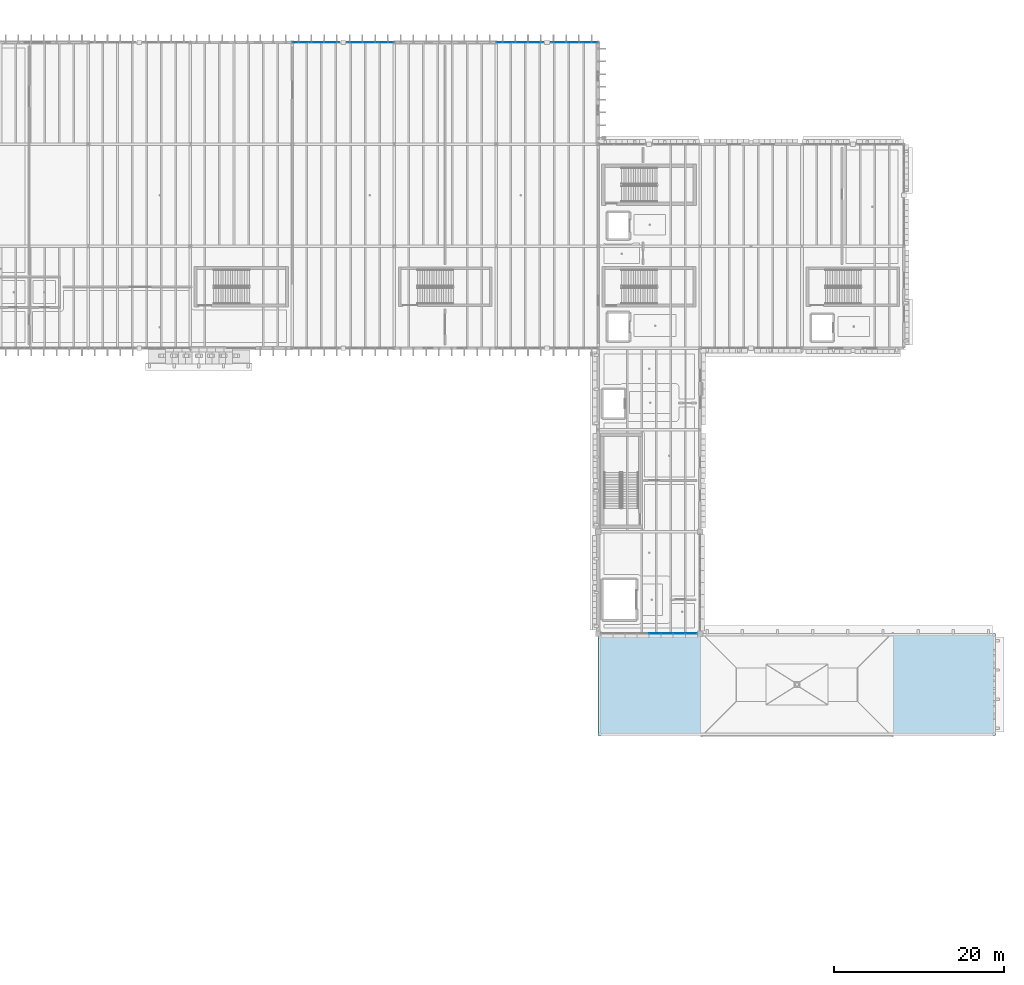
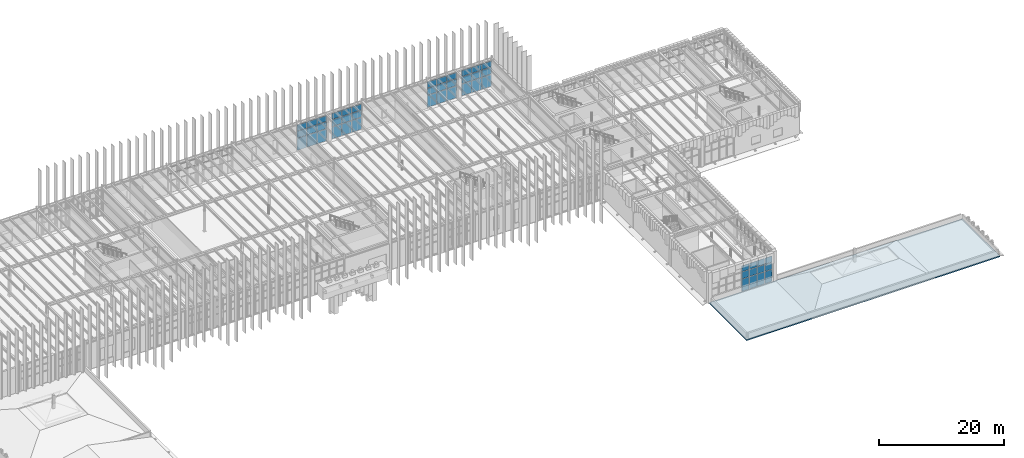
# One storey, part 41 of 83: 48 plates, 1 slab, 5 elements without a shape of their own.
"""IFC4 building model written with IfcOpenShell, lengths in metres."""

from ifc_helpers import new_model, si_unit, direction, frame, origin, origin_2d, place, context, subcontext, project, spatial, polyline, rectangle, outline, extrude, material, layer, layer_set, type_object, element, aggregate, save


model = new_model("IFC4")

# Units and contexts
model_context = context("Model", 3, precision=1e-05, world=origin(), true_north=direction((0.0, 1.0)))
body_context = subcontext(model_context, "Body", "Model", "MODEL_VIEW")
ifc_project = project(units=[si_unit("LENGTHUNIT", "METRE"), si_unit("AREAUNIT", "SQUARE_METRE"), si_unit("VOLUMEUNIT", "CUBIC_METRE"), si_unit("PLANEANGLEUNIT", "RADIAN"), si_unit("MASSUNIT", "GRAM", prefix="KILO")], contexts=[model_context])

# Site, building, storey
site_placement = place(None, origin())
site = spatial("IfcSite", under=ifc_project, at=site_placement, CompositionType="ELEMENT")
building_placement = place(site_placement, origin())
building = spatial("IfcBuilding", under=site, at=building_placement, Name="Zlatogorsky Bluff Art Gallery", CompositionType="ELEMENT")
storey_placement = place(building_placement, frame((0.0, 0.0, 10.800048828125)))
storey = spatial("IfcBuildingStorey", under=building, at=storey_placement, Name="L02", CompositionType="ELEMENT", Elevation=10.800048828125)

# Curtain wall, plates
ifc_material_1 = material(Name="Anodised Bronze Aluminium and Low-Iron Triple Glazing", Category="aluminium")
ifc_layer_1 = layer(ifc_material_1, 0.219970703125)
ifc_layer_set_1 = layer_set([ifc_layer_1], Name="Curtain Wall CW-04")
curtain_wall_type_1 = type_object("IfcCurtainWallType", Name="Curtain Wall CW-04", PredefinedType="USERDEFINED", material=ifc_layer_set_1)
curtain_wall_1_placement = place(storey_placement, origin())
curtain_wall_1 = element("IfcCurtainWall", 1, at=curtain_wall_1_placement, inside=storey, type_object=curtain_wall_type_1, Name="Unitised curtain wall CW-04 L02 N 7.10-A", ObjectType="CURTAIN WALL", PredefinedType="USERDEFINED")
ifc_material_2 = material(Name="Low-Iron Laminated Triple Glazing", Category="glass")
ifc_layer_2 = layer(ifc_material_2, 0.035888671875)
ifc_layer_set_2 = layer_set([ifc_layer_2], Name="Glazed Curtain Panel CWP-01")
plate_type = type_object("IfcPlateType", Name="Glazed Curtain Panel CWP-01", PredefinedType="CURTAIN_PANEL", material=ifc_layer_set_2)
plate_1_placement = place(storey_placement, frame((95.0537109375, 120.0, 0.06494140625), z_axis=(0.0, 0.0, 1.0), x_axis=(-1.0, 0.0, 0.0)))
plate_1 = element("IfcPlate", 2, at=plate_1_placement, type_object=plate_type, Name="CW-04 panel 1.1", PredefinedType="CURTAIN_PANEL", context=body_context, shape_type="SweptSolid", body=[
    extrude(rectangle(XDim=1.762451171875, YDim=0.035888671875, at=origin_2d()), origin(), (0.0, 0.0, 1.0), 2.3525390625),
])
plate_2_placement = place(storey_placement, frame((95.0537109375, 120.0, 2.482421875), z_axis=(0.0, 0.0, 1.0), x_axis=(-1.0, 0.0, 0.0)))
plate_2 = element("IfcPlate", 3, at=plate_2_placement, type_object=plate_type, Name="CW-04 panel 1.2", PredefinedType="CURTAIN_PANEL", context=body_context, shape_type="SweptSolid", body=[
    extrude(rectangle(XDim=1.762451171875, YDim=0.035888671875, at=origin_2d()), origin(), (0.0, 0.0, 1.0), 1.3349609375),
])
plate_3_placement = place(storey_placement, frame((95.0537109375, 120.0, 3.88232421875), z_axis=(0.0, 0.0, 1.0), x_axis=(-1.0, 0.0, 0.0)))
plate_3 = element("IfcPlate", 4, at=plate_3_placement, type_object=plate_type, Name="CW-04 panel 1.3", PredefinedType="CURTAIN_PANEL", context=body_context, shape_type="SweptSolid", body=[
    extrude(rectangle(XDim=1.762451171875, YDim=0.035888671875, at=origin_2d()), origin(), (0.0, 0.0, 1.0), 1.16259765625),
])
plate_4_placement = place(storey_placement, frame((93.2099609375, 120.0, 0.06494140625), z_axis=(0.0, 0.0, 1.0), x_axis=(-1.0, 0.0, 0.0)))
plate_4 = element("IfcPlate", 5, at=plate_4_placement, type_object=plate_type, Name="CW-04 panel 2.1", PredefinedType="CURTAIN_PANEL", context=body_context, shape_type="SweptSolid", body=[
    extrude(rectangle(XDim=1.794921875, YDim=0.035888671875, at=origin_2d()), origin(), (0.0, 0.0, 1.0), 2.3525390625),
])
plate_5_placement = place(storey_placement, frame((93.2099609375, 120.0, 2.482421875), z_axis=(0.0, 0.0, 1.0), x_axis=(-1.0, 0.0, 0.0)))
plate_5 = element("IfcPlate", 6, at=plate_5_placement, type_object=plate_type, Name="CW-04 panel 2.2", PredefinedType="CURTAIN_PANEL", context=body_context, shape_type="SweptSolid", body=[
    extrude(rectangle(XDim=1.794921875, YDim=0.035888671875, at=origin_2d()), origin(), (0.0, 0.0, 1.0), 1.3349609375),
])
plate_6_placement = place(storey_placement, frame((93.2099609375, 120.0, 3.88232421875), z_axis=(0.0, 0.0, 1.0), x_axis=(-1.0, 0.0, 0.0)))
plate_6 = element("IfcPlate", 7, at=plate_6_placement, type_object=plate_type, Name="CW-04 panel 2.3", PredefinedType="CURTAIN_PANEL", context=body_context, shape_type="SweptSolid", body=[
    extrude(rectangle(XDim=1.794921875, YDim=0.035888671875, at=origin_2d()), origin(), (0.0, 0.0, 1.0), 1.16259765625),
])
plate_7_placement = place(storey_placement, frame((91.3662109375, 120.0, 0.06494140625), z_axis=(0.0, 0.0, 1.0), x_axis=(-1.0, 0.0, 0.0)))
plate_7 = element("IfcPlate", 8, at=plate_7_placement, type_object=plate_type, Name="CW-04 panel 3.1", PredefinedType="CURTAIN_PANEL", context=body_context, shape_type="SweptSolid", body=[
    extrude(rectangle(XDim=1.762451171875, YDim=0.035888671875, at=origin_2d()), origin(), (0.0, 0.0, 1.0), 2.3525390625),
])
plate_8_placement = place(storey_placement, frame((91.3662109375, 120.0, 2.482421875), z_axis=(0.0, 0.0, 1.0), x_axis=(-1.0, 0.0, 0.0)))
plate_8 = element("IfcPlate", 9, at=plate_8_placement, type_object=plate_type, Name="CW-04 panel 3.2", PredefinedType="CURTAIN_PANEL", context=body_context, shape_type="SweptSolid", body=[
    extrude(rectangle(XDim=1.762451171875, YDim=0.035888671875, at=origin_2d()), origin(), (0.0, 0.0, 1.0), 1.3349609375),
])
plate_9_placement = place(storey_placement, frame((91.3662109375, 120.0, 3.88232421875), z_axis=(0.0, 0.0, 1.0), x_axis=(-1.0, 0.0, 0.0)))
plate_9 = element("IfcPlate", 10, at=plate_9_placement, type_object=plate_type, Name="CW-04 panel 3.3", PredefinedType="CURTAIN_PANEL", context=body_context, shape_type="SweptSolid", body=[
    extrude(rectangle(XDim=1.762451171875, YDim=0.035888671875, at=origin_2d()), origin(), (0.0, 0.0, 1.0), 1.16259765625),
])
aggregate(curtain_wall_1, [plate_1, plate_2, plate_3, plate_4, plate_5, plate_6, plate_7, plate_8, plate_9])

curtain_wall_2_placement = place(storey_placement, origin())
curtain_wall_2 = element("IfcCurtainWall", 11, at=curtain_wall_2_placement, inside=storey, type_object=curtain_wall_type_1, Name="Unitised curtain wall CW-04 L02 N 7.10-B", ObjectType="CURTAIN WALL", PredefinedType="USERDEFINED")
plate_10_placement = place(storey_placement, frame((88.6337890625, 120.0, 0.06494140625), z_axis=(0.0, 0.0, 1.0), x_axis=(-1.0, 0.0, 0.0)))
plate_10 = element("IfcPlate", 12, at=plate_10_placement, type_object=plate_type, Name="CW-04 panel 1.1", PredefinedType="CURTAIN_PANEL", context=body_context, shape_type="SweptSolid", body=[
    extrude(rectangle(XDim=1.762451171875, YDim=0.035888671875, at=origin_2d()), origin(), (0.0, 0.0, 1.0), 2.3525390625),
])
plate_11_placement = place(storey_placement, frame((88.6337890625, 120.0, 2.482421875), z_axis=(0.0, 0.0, 1.0), x_axis=(-1.0, 0.0, 0.0)))
plate_11 = element("IfcPlate", 13, at=plate_11_placement, type_object=plate_type, Name="CW-04 panel 1.2", PredefinedType="CURTAIN_PANEL", context=body_context, shape_type="SweptSolid", body=[
    extrude(rectangle(XDim=1.762451171875, YDim=0.035888671875, at=origin_2d()), origin(), (0.0, 0.0, 1.0), 1.3349609375),
])
plate_12_placement = place(storey_placement, frame((88.6337890625, 120.0, 3.88232421875), z_axis=(0.0, 0.0, 1.0), x_axis=(-1.0, 0.0, 0.0)))
plate_12 = element("IfcPlate", 14, at=plate_12_placement, type_object=plate_type, Name="CW-04 panel 1.3", PredefinedType="CURTAIN_PANEL", context=body_context, shape_type="SweptSolid", body=[
    extrude(rectangle(XDim=1.762451171875, YDim=0.035888671875, at=origin_2d()), origin(), (0.0, 0.0, 1.0), 1.16259765625),
])
plate_13_placement = place(storey_placement, frame((86.7900390625, 120.0, 0.06494140625), z_axis=(0.0, 0.0, 1.0), x_axis=(-1.0, 0.0, 0.0)))
plate_13 = element("IfcPlate", 15, at=plate_13_placement, type_object=plate_type, Name="CW-04 panel 2.1", PredefinedType="CURTAIN_PANEL", context=body_context, shape_type="SweptSolid", body=[
    extrude(rectangle(XDim=1.794921875, YDim=0.035888671875, at=origin_2d()), origin(), (0.0, 0.0, 1.0), 2.3525390625),
])
plate_14_placement = place(storey_placement, frame((86.7900390625, 120.0, 2.482421875), z_axis=(0.0, 0.0, 1.0), x_axis=(-1.0, 0.0, 0.0)))
plate_14 = element("IfcPlate", 16, at=plate_14_placement, type_object=plate_type, Name="CW-04 panel 2.2", PredefinedType="CURTAIN_PANEL", context=body_context, shape_type="SweptSolid", body=[
    extrude(rectangle(XDim=1.794921875, YDim=0.035888671875, at=origin_2d()), origin(), (0.0, 0.0, 1.0), 1.3349609375),
])
plate_15_placement = place(storey_placement, frame((86.7900390625, 120.0, 3.88232421875), z_axis=(0.0, 0.0, 1.0), x_axis=(-1.0, 0.0, 0.0)))
plate_15 = element("IfcPlate", 17, at=plate_15_placement, type_object=plate_type, Name="CW-04 panel 2.3", PredefinedType="CURTAIN_PANEL", context=body_context, shape_type="SweptSolid", body=[
    extrude(rectangle(XDim=1.794921875, YDim=0.035888671875, at=origin_2d()), origin(), (0.0, 0.0, 1.0), 1.16259765625),
])
plate_16_placement = place(storey_placement, frame((84.9462890625, 120.0, 0.06494140625), z_axis=(0.0, 0.0, 1.0), x_axis=(-1.0, 0.0, 0.0)))
plate_16 = element("IfcPlate", 18, at=plate_16_placement, type_object=plate_type, Name="CW-04 panel 3.1", PredefinedType="CURTAIN_PANEL", context=body_context, shape_type="SweptSolid", body=[
    extrude(rectangle(XDim=1.762451171875, YDim=0.035888671875, at=origin_2d()), origin(), (0.0, 0.0, 1.0), 2.3525390625),
])
plate_17_placement = place(storey_placement, frame((84.9462890625, 120.0, 2.482421875), z_axis=(0.0, 0.0, 1.0), x_axis=(-1.0, 0.0, 0.0)))
plate_17 = element("IfcPlate", 19, at=plate_17_placement, type_object=plate_type, Name="CW-04 panel 3.2", PredefinedType="CURTAIN_PANEL", context=body_context, shape_type="SweptSolid", body=[
    extrude(rectangle(XDim=1.762451171875, YDim=0.035888671875, at=origin_2d()), origin(), (0.0, 0.0, 1.0), 1.3349609375),
])
plate_18_placement = place(storey_placement, frame((84.9462890625, 120.0, 3.88232421875), z_axis=(0.0, 0.0, 1.0), x_axis=(-1.0, 0.0, 0.0)))
plate_18 = element("IfcPlate", 20, at=plate_18_placement, type_object=plate_type, Name="CW-04 panel 3.3", PredefinedType="CURTAIN_PANEL", context=body_context, shape_type="SweptSolid", body=[
    extrude(rectangle(XDim=1.762451171875, YDim=0.035888671875, at=origin_2d()), origin(), (0.0, 0.0, 1.0), 1.16259765625),
])
aggregate(curtain_wall_2, [plate_10, plate_11, plate_12, plate_13, plate_14, plate_15, plate_16, plate_17, plate_18])

curtain_wall_3_placement = place(storey_placement, origin())
curtain_wall_3 = element("IfcCurtainWall", 21, at=curtain_wall_3_placement, inside=storey, type_object=curtain_wall_type_1, Name="Unitised curtain wall CW-04 L02 N 9.10-A", ObjectType="CURTAIN WALL", PredefinedType="USERDEFINED")
plate_19_placement = place(storey_placement, frame((119.0537109375, 120.0, 0.06494140625), z_axis=(0.0, 0.0, 1.0), x_axis=(-1.0, 0.0, 0.0)))
plate_19 = element("IfcPlate", 22, at=plate_19_placement, type_object=plate_type, Name="CW-04 panel 1.1", PredefinedType="CURTAIN_PANEL", context=body_context, shape_type="SweptSolid", body=[
    extrude(rectangle(XDim=1.762451171875, YDim=0.035888671875, at=origin_2d()), origin(), (0.0, 0.0, 1.0), 2.3525390625),
])
plate_20_placement = place(storey_placement, frame((119.0537109375, 120.0, 2.482421875), z_axis=(0.0, 0.0, 1.0), x_axis=(-1.0, 0.0, 0.0)))
plate_20 = element("IfcPlate", 23, at=plate_20_placement, type_object=plate_type, Name="CW-04 panel 1.2", PredefinedType="CURTAIN_PANEL", context=body_context, shape_type="SweptSolid", body=[
    extrude(rectangle(XDim=1.762451171875, YDim=0.035888671875, at=origin_2d()), origin(), (0.0, 0.0, 1.0), 1.3349609375),
])
plate_21_placement = place(storey_placement, frame((119.0537109375, 120.0, 3.88232421875), z_axis=(0.0, 0.0, 1.0), x_axis=(-1.0, 0.0, 0.0)))
plate_21 = element("IfcPlate", 24, at=plate_21_placement, type_object=plate_type, Name="CW-04 panel 1.3", PredefinedType="CURTAIN_PANEL", context=body_context, shape_type="SweptSolid", body=[
    extrude(rectangle(XDim=1.762451171875, YDim=0.035888671875, at=origin_2d()), origin(), (0.0, 0.0, 1.0), 1.16259765625),
])
plate_22_placement = place(storey_placement, frame((117.2099609375, 120.0, 0.06494140625), z_axis=(0.0, 0.0, 1.0), x_axis=(-1.0, 0.0, 0.0)))
plate_22 = element("IfcPlate", 25, at=plate_22_placement, type_object=plate_type, Name="CW-04 panel 2.1", PredefinedType="CURTAIN_PANEL", context=body_context, shape_type="SweptSolid", body=[
    extrude(rectangle(XDim=1.794921875, YDim=0.035888671875, at=origin_2d()), origin(), (0.0, 0.0, 1.0), 2.3525390625),
])
plate_23_placement = place(storey_placement, frame((117.2099609375, 120.0, 2.482421875), z_axis=(0.0, 0.0, 1.0), x_axis=(-1.0, 0.0, 0.0)))
plate_23 = element("IfcPlate", 26, at=plate_23_placement, type_object=plate_type, Name="CW-04 panel 2.2", PredefinedType="CURTAIN_PANEL", context=body_context, shape_type="SweptSolid", body=[
    extrude(rectangle(XDim=1.794921875, YDim=0.035888671875, at=origin_2d()), origin(), (0.0, 0.0, 1.0), 1.3349609375),
])
plate_24_placement = place(storey_placement, frame((117.2099609375, 120.0, 3.88232421875), z_axis=(0.0, 0.0, 1.0), x_axis=(-1.0, 0.0, 0.0)))
plate_24 = element("IfcPlate", 27, at=plate_24_placement, type_object=plate_type, Name="CW-04 panel 2.3", PredefinedType="CURTAIN_PANEL", context=body_context, shape_type="SweptSolid", body=[
    extrude(rectangle(XDim=1.794921875, YDim=0.035888671875, at=origin_2d()), origin(), (0.0, 0.0, 1.0), 1.16259765625),
])
plate_25_placement = place(storey_placement, frame((115.3662109375, 120.0, 0.06494140625), z_axis=(0.0, 0.0, 1.0), x_axis=(-1.0, 0.0, 0.0)))
plate_25 = element("IfcPlate", 28, at=plate_25_placement, type_object=plate_type, Name="CW-04 panel 3.1", PredefinedType="CURTAIN_PANEL", context=body_context, shape_type="SweptSolid", body=[
    extrude(rectangle(XDim=1.762451171875, YDim=0.035888671875, at=origin_2d()), origin(), (0.0, 0.0, 1.0), 2.3525390625),
])
plate_26_placement = place(storey_placement, frame((115.3662109375, 120.0, 2.482421875), z_axis=(0.0, 0.0, 1.0), x_axis=(-1.0, 0.0, 0.0)))
plate_26 = element("IfcPlate", 29, at=plate_26_placement, type_object=plate_type, Name="CW-04 panel 3.2", PredefinedType="CURTAIN_PANEL", context=body_context, shape_type="SweptSolid", body=[
    extrude(rectangle(XDim=1.762451171875, YDim=0.035888671875, at=origin_2d()), origin(), (0.0, 0.0, 1.0), 1.3349609375),
])
plate_27_placement = place(storey_placement, frame((115.3662109375, 120.0, 3.88232421875), z_axis=(0.0, 0.0, 1.0), x_axis=(-1.0, 0.0, 0.0)))
plate_27 = element("IfcPlate", 30, at=plate_27_placement, type_object=plate_type, Name="CW-04 panel 3.3", PredefinedType="CURTAIN_PANEL", context=body_context, shape_type="SweptSolid", body=[
    extrude(rectangle(XDim=1.762451171875, YDim=0.035888671875, at=origin_2d()), origin(), (0.0, 0.0, 1.0), 1.16259765625),
])
aggregate(curtain_wall_3, [plate_19, plate_20, plate_21, plate_22, plate_23, plate_24, plate_25, plate_26, plate_27])

curtain_wall_4_placement = place(storey_placement, origin())
curtain_wall_4 = element("IfcCurtainWall", 31, at=curtain_wall_4_placement, inside=storey, type_object=curtain_wall_type_1, Name="Unitised curtain wall CW-04 L02 N 9.10-B", ObjectType="CURTAIN WALL", PredefinedType="USERDEFINED")
plate_28_placement = place(storey_placement, frame((112.6337890625, 120.0, 0.06494140625), z_axis=(0.0, 0.0, 1.0), x_axis=(-1.0, 0.0, 0.0)))
plate_28 = element("IfcPlate", 32, at=plate_28_placement, type_object=plate_type, Name="CW-04 panel 1.1", PredefinedType="CURTAIN_PANEL", context=body_context, shape_type="SweptSolid", body=[
    extrude(rectangle(XDim=1.762451171875, YDim=0.035888671875, at=origin_2d()), origin(), (0.0, 0.0, 1.0), 2.3525390625),
])
plate_29_placement = place(storey_placement, frame((112.6337890625, 120.0, 2.482421875), z_axis=(0.0, 0.0, 1.0), x_axis=(-1.0, 0.0, 0.0)))
plate_29 = element("IfcPlate", 33, at=plate_29_placement, type_object=plate_type, Name="CW-04 panel 1.2", PredefinedType="CURTAIN_PANEL", context=body_context, shape_type="SweptSolid", body=[
    extrude(rectangle(XDim=1.762451171875, YDim=0.035888671875, at=origin_2d()), origin(), (0.0, 0.0, 1.0), 1.3349609375),
])
plate_30_placement = place(storey_placement, frame((112.6337890625, 120.0, 3.88232421875), z_axis=(0.0, 0.0, 1.0), x_axis=(-1.0, 0.0, 0.0)))
plate_30 = element("IfcPlate", 34, at=plate_30_placement, type_object=plate_type, Name="CW-04 panel 1.3", PredefinedType="CURTAIN_PANEL", context=body_context, shape_type="SweptSolid", body=[
    extrude(rectangle(XDim=1.762451171875, YDim=0.035888671875, at=origin_2d()), origin(), (0.0, 0.0, 1.0), 1.16259765625),
])
plate_31_placement = place(storey_placement, frame((110.7900390625, 120.0, 0.06494140625), z_axis=(0.0, 0.0, 1.0), x_axis=(-1.0, 0.0, 0.0)))
plate_31 = element("IfcPlate", 35, at=plate_31_placement, type_object=plate_type, Name="CW-04 panel 2.1", PredefinedType="CURTAIN_PANEL", context=body_context, shape_type="SweptSolid", body=[
    extrude(rectangle(XDim=1.794921875, YDim=0.035888671875, at=origin_2d()), origin(), (0.0, 0.0, 1.0), 2.3525390625),
])
plate_32_placement = place(storey_placement, frame((110.7900390625, 120.0, 2.482421875), z_axis=(0.0, 0.0, 1.0), x_axis=(-1.0, 0.0, 0.0)))
plate_32 = element("IfcPlate", 36, at=plate_32_placement, type_object=plate_type, Name="CW-04 panel 2.2", PredefinedType="CURTAIN_PANEL", context=body_context, shape_type="SweptSolid", body=[
    extrude(rectangle(XDim=1.794921875, YDim=0.035888671875, at=origin_2d()), origin(), (0.0, 0.0, 1.0), 1.3349609375),
])
plate_33_placement = place(storey_placement, frame((110.7900390625, 120.0, 3.88232421875), z_axis=(0.0, 0.0, 1.0), x_axis=(-1.0, 0.0, 0.0)))
plate_33 = element("IfcPlate", 37, at=plate_33_placement, type_object=plate_type, Name="CW-04 panel 2.3", PredefinedType="CURTAIN_PANEL", context=body_context, shape_type="SweptSolid", body=[
    extrude(rectangle(XDim=1.794921875, YDim=0.035888671875, at=origin_2d()), origin(), (0.0, 0.0, 1.0), 1.16259765625),
])
plate_34_placement = place(storey_placement, frame((108.9462890625, 120.0, 0.06494140625), z_axis=(0.0, 0.0, 1.0), x_axis=(-1.0, 0.0, 0.0)))
plate_34 = element("IfcPlate", 38, at=plate_34_placement, type_object=plate_type, Name="CW-04 panel 3.1", PredefinedType="CURTAIN_PANEL", context=body_context, shape_type="SweptSolid", body=[
    extrude(rectangle(XDim=1.762451171875, YDim=0.035888671875, at=origin_2d()), origin(), (0.0, 0.0, 1.0), 2.3525390625),
])
plate_35_placement = place(storey_placement, frame((108.9462890625, 120.0, 2.482421875), z_axis=(0.0, 0.0, 1.0), x_axis=(-1.0, 0.0, 0.0)))
plate_35 = element("IfcPlate", 39, at=plate_35_placement, type_object=plate_type, Name="CW-04 panel 3.2", PredefinedType="CURTAIN_PANEL", context=body_context, shape_type="SweptSolid", body=[
    extrude(rectangle(XDim=1.762451171875, YDim=0.035888671875, at=origin_2d()), origin(), (0.0, 0.0, 1.0), 1.3349609375),
])
plate_36_placement = place(storey_placement, frame((108.9462890625, 120.0, 3.88232421875), z_axis=(0.0, 0.0, 1.0), x_axis=(-1.0, 0.0, 0.0)))
plate_36 = element("IfcPlate", 40, at=plate_36_placement, type_object=plate_type, Name="CW-04 panel 3.3", PredefinedType="CURTAIN_PANEL", context=body_context, shape_type="SweptSolid", body=[
    extrude(rectangle(XDim=1.762451171875, YDim=0.035888671875, at=origin_2d()), origin(), (0.0, 0.0, 1.0), 1.16259765625),
])
aggregate(curtain_wall_4, [plate_28, plate_29, plate_30, plate_31, plate_32, plate_33, plate_34, plate_35, plate_36])

ifc_layer_3 = layer(ifc_material_1, 0.199951171875)
ifc_layer_set_3 = layer_set([ifc_layer_3], Name="Curtain Wall CW-02")
curtain_wall_type_2 = type_object("IfcCurtainWallType", Name="Curtain Wall CW-02", PredefinedType="USERDEFINED", material=ifc_layer_set_3)
curtain_wall_5_placement = place(storey_placement, origin())
curtain_wall_5 = element("IfcCurtainWall", 41, at=curtain_wall_5_placement, inside=storey, type_object=curtain_wall_type_2, Name="Unitised curtain wall CW-02 L02 S 10.5", ObjectType="CURTAIN WALL", PredefinedType="USERDEFINED")
plate_37_placement = place(storey_placement, frame((126.7099609375, 50.39990234375, 0.06494140625), z_axis=(0.0, 0.0, 1.0), x_axis=(1.0, 0.0, 0.0)))
plate_37 = element("IfcPlate", 42, at=plate_37_placement, type_object=plate_type, Name="CW-02 panel 5.1", PredefinedType="CURTAIN_PANEL", context=body_context, shape_type="SweptSolid", body=[
    extrude(rectangle(XDim=1.35498046875, YDim=0.035888671875, at=origin_2d()), origin(), (0.0, 0.0, 1.0), 2.3525390625),
])
plate_38_placement = place(storey_placement, frame((126.7099609375, 50.39990234375, 2.482421875), z_axis=(0.0, 0.0, 1.0), x_axis=(1.0, 0.0, 0.0)))
plate_38 = element("IfcPlate", 43, at=plate_38_placement, type_object=plate_type, Name="CW-02 panel 5.2", PredefinedType="CURTAIN_PANEL", context=body_context, shape_type="SweptSolid", body=[
    extrude(rectangle(XDim=1.35498046875, YDim=0.035888671875, at=origin_2d()), origin(), (0.0, 0.0, 1.0), 1.3349609375),
])
plate_39_placement = place(storey_placement, frame((126.7099609375, 50.39990234375, 3.88232421875), z_axis=(0.0, 0.0, 1.0), x_axis=(1.0, 0.0, 0.0)))
plate_39 = element("IfcPlate", 44, at=plate_39_placement, type_object=plate_type, Name="CW-02 panel 5.3", PredefinedType="CURTAIN_PANEL", context=body_context, shape_type="SweptSolid", body=[
    extrude(rectangle(XDim=1.35498046875, YDim=0.035888671875, at=origin_2d()), origin(), (0.0, 0.0, 1.0), 1.16259765625),
])
plate_40_placement = place(storey_placement, frame((128.1298828125, 50.39990234375, 0.06494140625), z_axis=(0.0, 0.0, 1.0), x_axis=(1.0, 0.0, 0.0)))
plate_40 = element("IfcPlate", 45, at=plate_40_placement, type_object=plate_type, Name="CW-02 panel 6.1", PredefinedType="CURTAIN_PANEL", context=body_context, shape_type="SweptSolid", body=[
    extrude(rectangle(XDim=1.35498046875, YDim=0.035888671875, at=origin_2d()), origin(), (0.0, 0.0, 1.0), 2.3525390625),
])
plate_41_placement = place(storey_placement, frame((128.1298828125, 50.39990234375, 2.482421875), z_axis=(0.0, 0.0, 1.0), x_axis=(1.0, 0.0, 0.0)))
plate_41 = element("IfcPlate", 46, at=plate_41_placement, type_object=plate_type, Name="CW-02 panel 6.2", PredefinedType="CURTAIN_PANEL", context=body_context, shape_type="SweptSolid", body=[
    extrude(rectangle(XDim=1.35498046875, YDim=0.035888671875, at=origin_2d()), origin(), (0.0, 0.0, 1.0), 1.3349609375),
])
plate_42_placement = place(storey_placement, frame((128.1298828125, 50.39990234375, 3.88232421875), z_axis=(0.0, 0.0, 1.0), x_axis=(1.0, 0.0, 0.0)))
plate_42 = element("IfcPlate", 47, at=plate_42_placement, type_object=plate_type, Name="CW-02 panel 6.3", PredefinedType="CURTAIN_PANEL", context=body_context, shape_type="SweptSolid", body=[
    extrude(rectangle(XDim=1.35498046875, YDim=0.035888671875, at=origin_2d()), origin(), (0.0, 0.0, 1.0), 1.16259765625),
])
plate_43_placement = place(storey_placement, frame((129.550048828125, 50.39990234375, 0.06494140625), z_axis=(0.0, 0.0, 1.0), x_axis=(1.0, 0.0, 0.0)))
plate_43 = element("IfcPlate", 48, at=plate_43_placement, type_object=plate_type, Name="CW-02 panel 7.1", PredefinedType="CURTAIN_PANEL", context=body_context, shape_type="SweptSolid", body=[
    extrude(rectangle(XDim=1.35498046875, YDim=0.035888671875, at=origin_2d()), origin(), (0.0, 0.0, 1.0), 2.3525390625),
])
plate_44_placement = place(storey_placement, frame((129.550048828125, 50.39990234375, 2.482421875), z_axis=(0.0, 0.0, 1.0), x_axis=(1.0, 0.0, 0.0)))
plate_44 = element("IfcPlate", 49, at=plate_44_placement, type_object=plate_type, Name="CW-02 panel 7.2", PredefinedType="CURTAIN_PANEL", context=body_context, shape_type="SweptSolid", body=[
    extrude(rectangle(XDim=1.35498046875, YDim=0.035888671875, at=origin_2d()), origin(), (0.0, 0.0, 1.0), 1.3349609375),
])
plate_45_placement = place(storey_placement, frame((129.550048828125, 50.39990234375, 3.88232421875), z_axis=(0.0, 0.0, 1.0), x_axis=(1.0, 0.0, 0.0)))
plate_45 = element("IfcPlate", 50, at=plate_45_placement, type_object=plate_type, Name="CW-02 panel 7.3", PredefinedType="CURTAIN_PANEL", context=body_context, shape_type="SweptSolid", body=[
    extrude(rectangle(XDim=1.35498046875, YDim=0.035888671875, at=origin_2d()), origin(), (0.0, 0.0, 1.0), 1.16259765625),
])
plate_46_placement = place(storey_placement, frame((130.953857421875, 50.39990234375, 0.06494140625), z_axis=(0.0, 0.0, 1.0), x_axis=(1.0, 0.0, 0.0)))
plate_46 = element("IfcPlate", 51, at=plate_46_placement, type_object=plate_type, Name="CW-02 panel 8.1", PredefinedType="CURTAIN_PANEL", context=body_context, shape_type="SweptSolid", body=[
    extrude(rectangle(XDim=1.322509765625, YDim=0.035888671875, at=origin_2d()), origin(), (0.0, 0.0, 1.0), 2.3525390625),
])
plate_47_placement = place(storey_placement, frame((130.953857421875, 50.39990234375, 2.482421875), z_axis=(0.0, 0.0, 1.0), x_axis=(1.0, 0.0, 0.0)))
plate_47 = element("IfcPlate", 52, at=plate_47_placement, type_object=plate_type, Name="CW-02 panel 8.2", PredefinedType="CURTAIN_PANEL", context=body_context, shape_type="SweptSolid", body=[
    extrude(rectangle(XDim=1.322509765625, YDim=0.035888671875, at=origin_2d()), origin(), (0.0, 0.0, 1.0), 1.3349609375),
])
plate_48_placement = place(storey_placement, frame((130.953857421875, 50.39990234375, 3.88232421875), z_axis=(0.0, 0.0, 1.0), x_axis=(1.0, 0.0, 0.0)))
plate_48 = element("IfcPlate", 53, at=plate_48_placement, type_object=plate_type, Name="CW-02 panel 8.3", PredefinedType="CURTAIN_PANEL", context=body_context, shape_type="SweptSolid", body=[
    extrude(rectangle(XDim=1.322509765625, YDim=0.035888671875, at=origin_2d()), origin(), (0.0, 0.0, 1.0), 1.16259765625),
])
aggregate(curtain_wall_5, [plate_37, plate_38, plate_39, plate_40, plate_41, plate_42, plate_43, plate_44, plate_45, plate_46, plate_47, plate_48])

# Slab
ifc_material_3 = material(Name="Concrete C30/37", Category="concrete")
ifc_layer_4 = layer(ifc_material_3, 0.219970703125)
ifc_layer_set_4 = layer_set([ifc_layer_4], Name="Slab RF-FL1 220mm")
slab_type = type_object("IfcSlabType", Name="Slab RF-FL1 220mm", PredefinedType="ROOF", material=ifc_layer_set_4)
slab_placement = place(storey_placement, frame((0.0, 0.0, -0.219970703125)))
element("IfcSlab", 54, at=slab_placement, inside=storey, type_object=slab_type, Name="L02 flat insulated roof slab 2", PredefinedType="ROOF", context=body_context, shape_type="SweptSolid", body=[
    extrude(outline(polyline([(132.0, 50.39990234375), (144.0, 50.39990234375), (156.0, 50.39990234375), (166.800048828125, 50.39990234375), (166.800048828125, 38.39990234375), (156.0, 38.39990234375), (144.0, 38.39990234375), (132.0, 38.39990234375), (120.0, 38.39990234375), (120.0, 50.39990234375), (132.0, 50.39990234375)])), origin(), (0.0, 0.0, 1.0), 0.219970703125),
])

save(model, "model.ifc")
